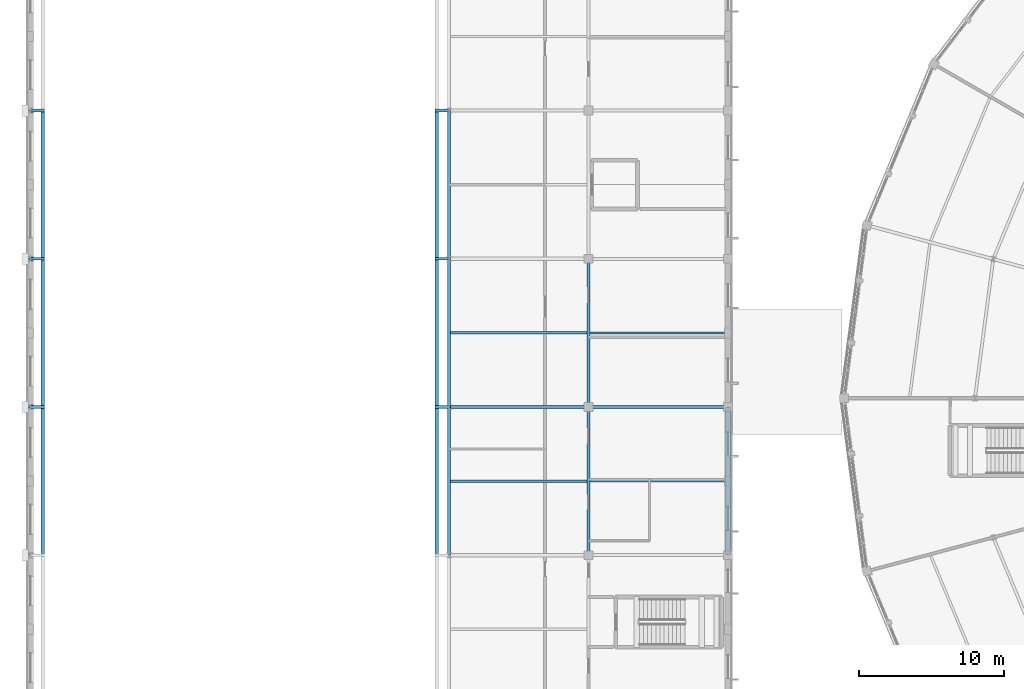
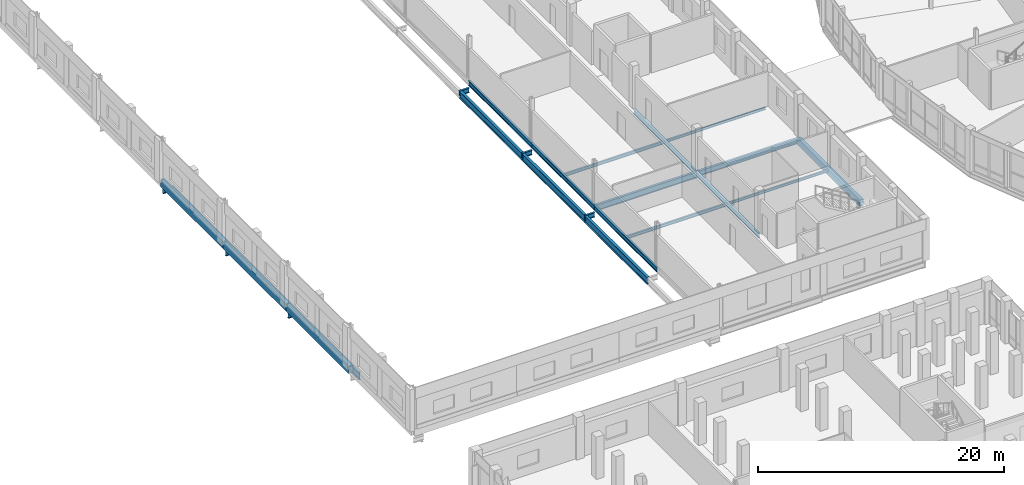
# One storey, part 47 of 170: 27 beams.
"""IFC4 building model written with IfcOpenShell, lengths in metres."""

from ifc_helpers import new_model, si_unit, direction, frame, origin, origin_2d, place, context, subcontext, project, spatial, rectangle, i_section, extrude, material, material_profile, profile_set, type_object, element, save


model = new_model("IFC4")

# Units and contexts
model_context = context("Model", 3, precision=1e-05, world=origin(), true_north=direction((0.0, 1.0)))
body_context = subcontext(model_context, "Body", "Model", "MODEL_VIEW")
ifc_project = project(units=[si_unit("LENGTHUNIT", "METRE"), si_unit("AREAUNIT", "SQUARE_METRE"), si_unit("VOLUMEUNIT", "CUBIC_METRE"), si_unit("PLANEANGLEUNIT", "RADIAN"), si_unit("MASSUNIT", "GRAM", prefix="KILO")], contexts=[model_context])

# Site, building, storey
site_placement = place(None, origin())
site = spatial("IfcSite", under=ifc_project, at=site_placement, CompositionType="ELEMENT")
building_placement = place(site_placement, origin())
building = spatial("IfcBuilding", under=site, at=building_placement, Name="Vondelvale Polytechnic", CompositionType="ELEMENT")
storey_placement = place(building_placement, frame((0.0, 0.0, 5.39990234375)))
storey = spatial("IfcBuildingStorey", under=building, at=storey_placement, Name="L01", CompositionType="ELEMENT", Elevation=5.39990234375)

# Beams
ifc_material_1 = material(Name="Steel 300PLUS (fy = 300 MPa)", Category="steel")
ifc_material_profile_1 = material_profile(ifc_material_1, i_section(OverallWidth=0.18994140625, OverallDepth=0.45703125, WebThickness=0.009033203125, FlangeThickness=0.014404296875, FilletRadius=0.011474609375, at=origin_2d()), Name="460UB74.6")
ifc_profile_set_1 = profile_set([ifc_material_profile_1], Name="Steel 300PLUS (fy = 300 MPa)")
beam_type_1 = type_object("IfcBeamType", Name="BM-UB460", PredefinedType="BEAM", material=ifc_profile_set_1)
beam_1_placement = place(storey_placement, frame((28.800048828125, 61.199951171875, -0.50830078125), z_axis=(0.0, 1.0, 0.0), x_axis=(-1.0, 0.0, 0.0)))
element("IfcBeam", 1, at=beam_1_placement, inside=storey, type_object=beam_type_1, Name="L01 B B-13", PredefinedType="BEAM", context=body_context, shape_type="SweptSolid", body=[
    extrude(i_section(OverallWidth=0.18994140625, OverallDepth=0.45703125, WebThickness=0.009033203125, FlangeThickness=0.014404296875, FilletRadius=0.011474609375, at=origin_2d()), origin(), (0.0, 0.0, 1.0), 10.199951171875),
])
beam_2_placement = place(storey_placement, frame((28.800048828125, 71.39990234375, -0.50830078125), z_axis=(0.0, 1.0, 0.0), x_axis=(-1.0, 0.0, 0.0)))
element("IfcBeam", 2, at=beam_2_placement, inside=storey, type_object=beam_type_1, Name="L01 B B-13", PredefinedType="BEAM", context=body_context, shape_type="SweptSolid", body=[
    extrude(i_section(OverallWidth=0.18994140625, OverallDepth=0.45703125, WebThickness=0.009033203125, FlangeThickness=0.014404296875, FilletRadius=0.011474609375, at=origin_2d()), origin(), (0.0, 0.0, 1.0), 10.2001953125),
])
for number, where, z_axis, x_axis, name in (
    (3, (28.800048828125, 81.60009765625, -0.50830078125), (0.0, 1.0, 0.0), (-1.0, 0.0, 0.0), "L01 B B-13"),
    (4, (38.39990234375, 61.199951171875, -0.50830078125), (0.0, 1.0, 0.0), (-1.0, 0.0, 0.0), "L01 B B-13"),
):
    element("IfcBeam", number, at=place(storey_placement, frame(where, z_axis=z_axis, x_axis=x_axis)), inside=storey, type_object=beam_type_1, Name=name, PredefinedType="BEAM", context=body_context, shape_type="SweptSolid", body=[
        extrude(i_section(OverallWidth=0.18994140625, OverallDepth=0.45703125, WebThickness=0.009033203125, FlangeThickness=0.014404296875, FilletRadius=0.011474609375, at=origin_2d()), origin(), (0.0, 0.0, 1.0), 10.199951171875),
    ])
beam_3_placement = place(storey_placement, frame((38.39990234375, 71.39990234375, -0.50830078125), z_axis=(0.0, 1.0, 0.0), x_axis=(-1.0, 0.0, 0.0)))
element("IfcBeam", 5, at=beam_3_placement, inside=storey, type_object=beam_type_1, Name="L01 B B-13", PredefinedType="BEAM", context=body_context, shape_type="SweptSolid", body=[
    extrude(i_section(OverallWidth=0.18994140625, OverallDepth=0.45703125, WebThickness=0.009033203125, FlangeThickness=0.014404296875, FilletRadius=0.011474609375, at=origin_2d()), origin(), (0.0, 0.0, 1.0), 10.2001953125),
])
ifc_material_profile_2 = material_profile(ifc_material_1, i_section(OverallWidth=0.19091796875, OverallDepth=0.4599609375, WebThickness=0.010009765625, FlangeThickness=0.01611328125, FilletRadius=0.011474609375, at=origin_2d()), Name="460UB82.1")
ifc_profile_set_2 = profile_set([ifc_material_profile_2], Name="Steel 300PLUS (fy = 300 MPa)")
beam_type_2 = type_object("IfcBeamType", Name="BM-UB460H", PredefinedType="BEAM", material=ifc_profile_set_2)
for number, where, z_axis, x_axis, name in (
    (6, (0.0, 71.39990234375, -1.2099609375), (1.0, 0.0, 0.0), (0.0, 1.0, 0.0), "L01 CRB B-12"),
    (7, (27.85009765625, 71.39990234375, -1.2099609375), (1.0, 0.0, 0.0), (0.0, 1.0, 0.0), "L01 CRB B-12"),
    (8, (0.0, 81.60009765625, -1.2099609375), (1.0, 0.0, 0.0), (0.0, 1.0, 0.0), "L01 CRB B-12"),
    (9, (27.85009765625, 81.60009765625, -1.2099609375), (1.0, 0.0, 0.0), (0.0, 1.0, 0.0), "L01 CRB B-12"),
    (10, (0.0, 91.800048828125, -1.2099609375), (1.0, 0.0, 0.0), (0.0, 1.0, 0.0), "L01 CRB B-12"),
    (11, (27.85009765625, 91.800048828125, -1.2099609375), (1.0, 0.0, 0.0), (0.0, 1.0, 0.0), "L01 CRB B-12"),
):
    element("IfcBeam", number, at=place(storey_placement, frame(where, z_axis=z_axis, x_axis=x_axis)), inside=storey, type_object=beam_type_2, Name=name, PredefinedType="BEAM", context=body_context, shape_type="SweptSolid", body=[
        extrude(i_section(OverallWidth=0.19091796875, OverallDepth=0.4599609375, WebThickness=0.010009765625, FlangeThickness=0.01611328125, FilletRadius=0.011474609375, at=origin_2d()), origin(), (0.0, 0.0, 1.0), 0.949951171875),
    ])
ifc_material_profile_3 = material_profile(ifc_material_1, i_section(OverallWidth=0.208984375, OverallDepth=0.528076171875, WebThickness=0.009521484375, FlangeThickness=0.01318359375, FilletRadius=0.013916015625, at=origin_2d()), Name="530UB82.0")
ifc_profile_set_3 = profile_set([ifc_material_profile_3], Name="Steel 300PLUS (fy = 300 MPa)")
beam_type_3 = type_object("IfcBeamType", Name="BM-UB530L", PredefinedType="BEAM", material=ifc_profile_set_3)
beam_4_placement = place(storey_placement, frame((38.39990234375, 71.39990234375, -0.5439453125), z_axis=(1.0, 0.0, 0.0), x_axis=(0.0, 1.0, 0.0)))
element("IfcBeam", 12, at=beam_4_placement, inside=storey, type_object=beam_type_3, Name="L01 B B-21", PredefinedType="BEAM", context=body_context, shape_type="SweptSolid", body=[
    extrude(i_section(OverallWidth=0.208984375, OverallDepth=0.528076171875, WebThickness=0.009521484375, FlangeThickness=0.01318359375, FilletRadius=0.013916015625, at=origin_2d()), origin(), (0.0, 0.0, 1.0), 9.60009765625),
])
ifc_material_profile_4 = material_profile(ifc_material_1, i_section(OverallWidth=0.22802734375, OverallDepth=0.60693359375, WebThickness=0.01123046875, FlangeThickness=0.017333984375, FilletRadius=0.013916015625, at=origin_2d()), Name="610UB113")
ifc_profile_set_4 = profile_set([ifc_material_profile_4], Name="Steel 300PLUS (fy = 300 MPa)")
beam_type_4 = type_object("IfcBeamType", Name="BM-UB610M", PredefinedType="BEAM", material=ifc_profile_set_4)
beam_5_placement = place(storey_placement, frame((28.800048828125, 71.39990234375, -0.58349609375), z_axis=(1.0, 0.0, 0.0), x_axis=(0.0, 1.0, 0.0)))
element("IfcBeam", 13, at=beam_5_placement, inside=storey, type_object=beam_type_4, Name="L01 B B-20", PredefinedType="BEAM", context=body_context, shape_type="SweptSolid", body=[
    extrude(i_section(OverallWidth=0.22802734375, OverallDepth=0.60693359375, WebThickness=0.01123046875, FlangeThickness=0.017333984375, FilletRadius=0.013916015625, at=origin_2d()), origin(), (0.0, 0.0, 1.0), 9.599853515625),
])
ifc_material_profile_5 = material_profile(ifc_material_1, i_section(OverallWidth=0.25, OverallDepth=0.699951171875, WebThickness=0.010009765625, FlangeThickness=0.01611328125, FilletRadius=0.011962890625, at=origin_2d()), Name="700WB130")
ifc_profile_set_5 = profile_set([ifc_material_profile_5], Name="Steel 300PLUS (fy = 300 MPa)")
beam_type_5 = type_object("IfcBeamType", Name="BM-WB700", PredefinedType="BEAM", material=ifc_profile_set_5)
for number, where, z_axis, x_axis, name in (
    (14, (0.85009765625, 61.199951171875, -1.329833984375), (0.0, 1.0, 0.0), (-1.0, 0.0, 0.0), "L01 CRN B-08"),
    (15, (27.949951171875, 61.199951171875, -1.329833984375), (0.0, 1.0, 0.0), (-1.0, 0.0, 0.0), "L01 CRN B-08"),
):
    element("IfcBeam", number, at=place(storey_placement, frame(where, z_axis=z_axis, x_axis=x_axis)), inside=storey, type_object=beam_type_5, Name=name, PredefinedType="BEAM", context=body_context, shape_type="SweptSolid", body=[
        extrude(i_section(OverallWidth=0.25, OverallDepth=0.699951171875, WebThickness=0.010009765625, FlangeThickness=0.01611328125, FilletRadius=0.011962890625, at=origin_2d()), origin(), (0.0, 0.0, 1.0), 10.199951171875),
    ])
for number, where, z_axis, x_axis, name in (
    (16, (0.85009765625, 71.39990234375, -1.329833984375), (0.0, 1.0, 0.0), (-1.0, 0.0, 0.0), "L01 CRN B-08"),
    (17, (27.949951171875, 71.39990234375, -1.329833984375), (0.0, 1.0, 0.0), (-1.0, 0.0, 0.0), "L01 CRN B-08"),
):
    element("IfcBeam", number, at=place(storey_placement, frame(where, z_axis=z_axis, x_axis=x_axis)), inside=storey, type_object=beam_type_5, Name=name, PredefinedType="BEAM", context=body_context, shape_type="SweptSolid", body=[
        extrude(i_section(OverallWidth=0.25, OverallDepth=0.699951171875, WebThickness=0.010009765625, FlangeThickness=0.01611328125, FilletRadius=0.011962890625, at=origin_2d()), origin(), (0.0, 0.0, 1.0), 10.2001953125),
    ])
for number, where, z_axis, x_axis, name in (
    (18, (0.85009765625, 81.60009765625, -1.329833984375), (0.0, 1.0, 0.0), (-1.0, 0.0, 0.0), "L01 CRN B-08"),
    (19, (27.949951171875, 81.60009765625, -1.329833984375), (0.0, 1.0, 0.0), (-1.0, 0.0, 0.0), "L01 CRN B-08"),
):
    element("IfcBeam", number, at=place(storey_placement, frame(where, z_axis=z_axis, x_axis=x_axis)), inside=storey, type_object=beam_type_5, Name=name, PredefinedType="BEAM", context=body_context, shape_type="SweptSolid", body=[
        extrude(i_section(OverallWidth=0.25, OverallDepth=0.699951171875, WebThickness=0.010009765625, FlangeThickness=0.01611328125, FilletRadius=0.011962890625, at=origin_2d()), origin(), (0.0, 0.0, 1.0), 10.199951171875),
    ])
ifc_material_profile_6 = material_profile(ifc_material_1, i_section(OverallWidth=0.14599609375, OverallDepth=0.251953125, WebThickness=0.006103515625, FlangeThickness=0.008544921875, FilletRadius=0.0087890625, at=origin_2d()), Name="250UB31.4")
ifc_profile_set_6 = profile_set([ifc_material_profile_6], Name="Steel 300PLUS (fy = 300 MPa)")
beam_type_6 = type_object("IfcBeamType", Name="JST-UB250M", PredefinedType="JOIST", material=ifc_profile_set_6)
for number, where, z_axis, x_axis, name in (
    (20, (38.5, 66.300048828125, -0.406005859375), (1.0, 0.0, 0.0), (0.0, 1.0, 0.0), "L01 J J-07"),
    (21, (38.5, 76.5, -0.406005859375), (1.0, 0.0, 0.0), (0.0, 1.0, 0.0), "L01 J J-07"),
):
    element("IfcBeam", number, at=place(storey_placement, frame(where, z_axis=z_axis, x_axis=x_axis)), inside=storey, type_object=beam_type_6, Name=name, PredefinedType="JOIST", context=body_context, shape_type="SweptSolid", body=[
        extrude(i_section(OverallWidth=0.14599609375, OverallDepth=0.251953125, WebThickness=0.006103515625, FlangeThickness=0.008544921875, FilletRadius=0.0087890625, at=origin_2d()), origin(), (0.0, 0.0, 1.0), 9.320068359375),
    ])
ifc_material_profile_7 = material_profile(ifc_material_1, i_section(OverallWidth=0.1650390625, OverallDepth=0.303955078125, WebThickness=0.006103515625, FlangeThickness=0.01025390625, FilletRadius=0.011474609375, at=origin_2d()), Name="310UB40.4")
ifc_profile_set_7 = profile_set([ifc_material_profile_7], Name="Steel 300PLUS (fy = 300 MPa)")
beam_type_7 = type_object("IfcBeamType", Name="JST-UB310", PredefinedType="JOIST", material=ifc_profile_set_7)
for number, where, z_axis, x_axis, name in (
    (22, (28.89990234375, 66.300048828125, -0.431884765625), (1.0, 0.0, 0.0), (0.0, 1.0, 0.0), "L01 J J-05"),
    (23, (28.89990234375, 76.5, -0.431884765625), (1.0, 0.0, 0.0), (0.0, 1.0, 0.0), "L01 J J-05"),
):
    element("IfcBeam", number, at=place(storey_placement, frame(where, z_axis=z_axis, x_axis=x_axis)), inside=storey, type_object=beam_type_7, Name=name, PredefinedType="JOIST", context=body_context, shape_type="SweptSolid", body=[
        extrude(i_section(OverallWidth=0.1650390625, OverallDepth=0.303955078125, WebThickness=0.006103515625, FlangeThickness=0.01025390625, FilletRadius=0.011474609375, at=origin_2d()), origin(), (0.0, 0.0, 1.0), 9.400146484375),
    ])
ifc_material_2 = material(Name="Precast concrete N40 (f'c = 40 MPa)", Category="concrete")
ifc_material_profile_8 = material_profile(ifc_material_2, rectangle(XDim=0.35009765625, YDim=0.64990234375, at=origin_2d()), Name="RC-SPN-350x650")
ifc_profile_set_8 = profile_set([ifc_material_profile_8], Name="Precast concrete N40 (f'c = 40 MPa)")
beam_type_8 = type_object("IfcBeamType", Name="SPN-PRE350x650", PredefinedType="SPANDREL", material=ifc_profile_set_8)
beam_6_placement = place(storey_placement, frame((48.0, 61.199951171875, -0.60498046875), z_axis=(0.0, 1.0, 0.0), x_axis=(-1.0, 0.0, 0.0)))
element("IfcBeam", 24, at=beam_6_placement, inside=storey, type_object=beam_type_8, Name="L01 B SP-02", PredefinedType="SPANDREL", context=body_context, shape_type="SweptSolid", body=[
    extrude(rectangle(XDim=0.35009765625, YDim=0.64990234375, at=origin_2d()), origin(), (0.0, 0.0, 1.0), 10.199951171875),
])
ifc_material_profile_9 = material_profile(ifc_material_2, rectangle(XDim=0.39990234375, YDim=0.699951171875, at=origin_2d()), Name="RC-SPN-400x700")
ifc_profile_set_9 = profile_set([ifc_material_profile_9], Name="Precast concrete N40 (f'c = 40 MPa)")
beam_type_9 = type_object("IfcBeamType", Name="SPN-PRE400x700", PredefinedType="SPANDREL", material=ifc_profile_set_9)
beam_7_placement = place(storey_placement, frame((0.0, 61.199951171875, -0.349853515625), z_axis=(0.0, 1.0, 0.0), x_axis=(-1.0, 0.0, 0.0)))
element("IfcBeam", 25, at=beam_7_placement, inside=storey, type_object=beam_type_9, Name="L01 SP SP-01", PredefinedType="SPANDREL", context=body_context, shape_type="SweptSolid", body=[
    extrude(rectangle(XDim=0.39990234375, YDim=0.699951171875, at=origin_2d()), origin(), (0.0, 0.0, 1.0), 10.199951171875),
])
beam_8_placement = place(storey_placement, frame((0.0, 71.39990234375, -0.349853515625), z_axis=(0.0, 1.0, 0.0), x_axis=(-1.0, 0.0, 0.0)))
element("IfcBeam", 26, at=beam_8_placement, inside=storey, type_object=beam_type_9, Name="L01 SP SP-01", PredefinedType="SPANDREL", context=body_context, shape_type="SweptSolid", body=[
    extrude(rectangle(XDim=0.39990234375, YDim=0.699951171875, at=origin_2d()), origin(), (0.0, 0.0, 1.0), 10.2001953125),
])
beam_9_placement = place(storey_placement, frame((0.0, 81.60009765625, -0.349853515625), z_axis=(0.0, 1.0, 0.0), x_axis=(-1.0, 0.0, 0.0)))
element("IfcBeam", 27, at=beam_9_placement, inside=storey, type_object=beam_type_9, Name="L01 SP SP-01", PredefinedType="SPANDREL", context=body_context, shape_type="SweptSolid", body=[
    extrude(rectangle(XDim=0.39990234375, YDim=0.699951171875, at=origin_2d()), origin(), (0.0, 0.0, 1.0), 10.199951171875),
])

save(model, "model.ifc")
